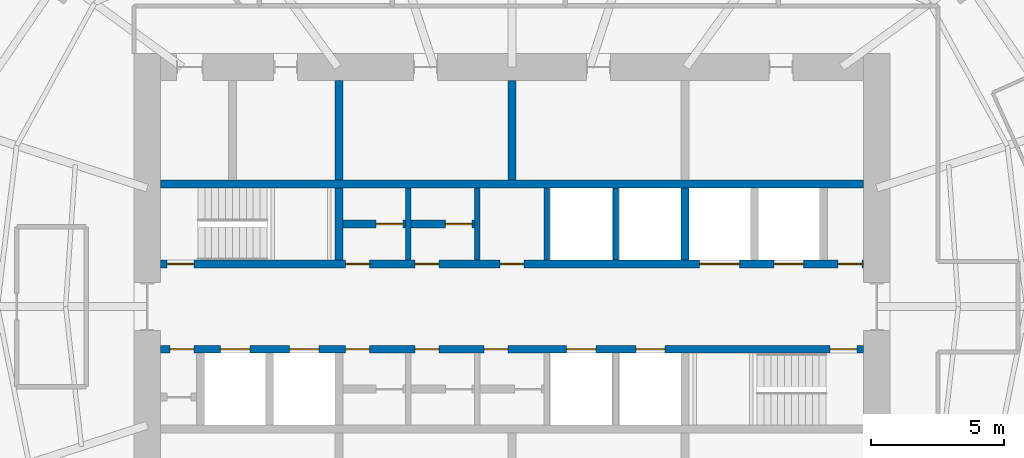
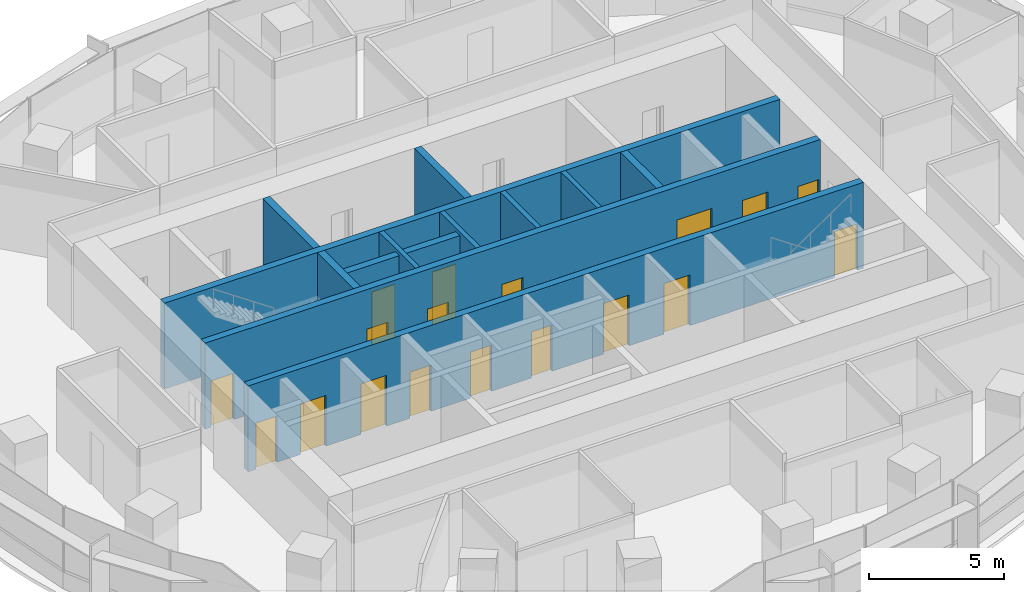
# One storey, part 11 of 15: 18 doors, 13 walls, 18 openings.
"""IFC4 building model written with IfcOpenShell, lengths in metres."""

from ifc_helpers import new_model, si_unit, direction, frame, frame_2d, origin, place, context, subcontext, project, spatial, rectangle, extrude, material, layer, layer_set, type_object, element, fill, save


model = new_model("IFC4")

# Units and contexts
model_context = context("Model", 3, precision=1e-05, world=origin(), true_north=direction((0.0, 1.0)))
body_context = subcontext(model_context, "Body", "Model", "MODEL_VIEW")
ifc_project = project(units=[si_unit("LENGTHUNIT", "METRE"), si_unit("AREAUNIT", "SQUARE_METRE"), si_unit("VOLUMEUNIT", "CUBIC_METRE"), si_unit("PLANEANGLEUNIT", "RADIAN"), si_unit("MASSUNIT", "GRAM", prefix="KILO")], contexts=[model_context])

# Site, building, storey
site_placement = place(None, origin())
site = spatial("IfcSite", under=ifc_project, at=site_placement, CompositionType="ELEMENT")
building_placement = place(site_placement, origin())
building = spatial("IfcBuilding", under=site, at=building_placement, Name="Marramba Exchange Tower", CompositionType="ELEMENT")
storey_placement = place(building_placement, frame((0.0, 0.0, 211.10009765625)))
storey = spatial("IfcBuildingStorey", under=building, at=storey_placement, Name="L51", CompositionType="ELEMENT", Elevation=211.10009765625)

# Walls
ifc_material_1 = material(Name="Concrete N50", Category="concrete")
ifc_layer_1 = layer(ifc_material_1, 0.199951171875)
ifc_layer_set_1 = layer_set([ifc_layer_1], Name="Core shaft wall 200")
wall_type_1 = type_object("IfcWallType", Name="Core shaft wall 200", PredefinedType="SHEAR", material=ifc_layer_set_1)
for number, where, z_axis, x_axis, name in (
    (1, (-3.89990234375, 1.75, 0.0), (0.0, 0.0, 1.0), (0.0, 1.0, 0.0), "Core wall SHN1 L51"),
    (2, (-1.300048828125, 1.75, 0.0), (0.0, 0.0, 1.0), (0.0, 1.0, 0.0), "Core wall SHN2 L51"),
    (3, (1.300048828125, 1.75, 0.0), (0.0, 0.0, 1.0), (0.0, 1.0, 0.0), "Core wall SHN3 L51"),
    (4, (3.89990234375, 1.75, 0.0), (0.0, 0.0, 1.0), (0.0, 1.0, 0.0), "Core wall SHN4 L51"),
):
    element("IfcWall", number, at=place(storey_placement, frame(where, z_axis=z_axis, x_axis=x_axis)), inside=storey, type_object=wall_type_1, Name=name, PredefinedType="SHEAR", context=body_context, shape_type="SweptSolid", body=[
        extrude(rectangle(XDim=2.699951171875, YDim=0.199951171875, at=frame_2d((1.35009765625, 0.0))), origin(), (0.0, 0.0, 1.0), 3.89990234375),
    ])

# Wall, openings, doors
ifc_layer_2 = layer(ifc_material_1, 0.300048828125)
ifc_layer_set_2 = layer_set([ifc_layer_2], Name="Core wall 300")
wall_type_2 = type_object("IfcWallType", Name="Core wall 300", PredefinedType="SHEAR", material=ifc_layer_set_2)
wall_1_placement = place(storey_placement, frame((-13.199951171875, 1.60009765625, 0.0), z_axis=(0.0, 0.0, 1.0), x_axis=(1.0, 0.0, 0.0)))
wall_1 = element("IfcWall", 5, at=wall_1_placement, inside=storey, type_object=wall_type_2, Name="Core wall LN L51", PredefinedType="SHEAR", context=body_context, shape_type="SweptSolid", body=[
    extrude(rectangle(XDim=26.39990234375, YDim=0.300048828125, at=frame_2d((13.199951171875, 0.0))), origin(), (0.0, 0.0, 1.0), 3.89990234375),
])
opening_1_placement = place(wall_1_placement, frame((0.25, 0.0, 0.0)))
opening_1 = element("IfcOpeningElement", 6, at=opening_1_placement, cuts=wall_1, Name="Opening D2", PredefinedType="OPENING", context=body_context, shape_type="SweptSolid", body=[
    extrude(rectangle(XDim=1.0, YDim=2.10009765625, at=frame_2d((0.5, 1.050048828125))), frame((0.0, 0.159912109375, 0.0), z_axis=(0.0, -1.0, 0.0), x_axis=(1.0, 0.0, 0.0)), (0.0, 0.0, 1.0), 0.320068359375),
])
opening_2_placement = place(wall_1_placement, frame((23.050048828125, 0.0, 0.0)))
opening_2 = element("IfcOpeningElement", 7, at=opening_2_placement, cuts=wall_1, Name="Opening LD1", PredefinedType="OPENING", context=body_context, shape_type="SweptSolid", body=[
    extrude(rectangle(XDim=1.10009765625, YDim=2.300048828125, at=frame_2d((0.550048828125, 1.14990234375))), frame((0.0, 0.159912109375, 0.0), z_axis=(0.0, -1.0, 0.0), x_axis=(1.0, 0.0, 0.0)), (0.0, 0.0, 1.0), 0.320068359375),
])
opening_3_placement = place(wall_1_placement, frame((20.25, 0.0, 0.0)))
opening_3 = element("IfcOpeningElement", 8, at=opening_3_placement, cuts=wall_1, Name="Opening LD3", PredefinedType="OPENING", context=body_context, shape_type="SweptSolid", body=[
    extrude(rectangle(XDim=1.5, YDim=2.39990234375, at=frame_2d((0.75, 1.199951171875))), frame((0.0, 0.159912109375, 0.0), z_axis=(0.0, -1.0, 0.0), x_axis=(1.0, 0.0, 0.0)), (0.0, 0.0, 1.0), 0.320068359375),
])
opening_4_placement = place(wall_1_placement, frame((6.949951171875, 0.0, 0.0)))
opening_4 = element("IfcOpeningElement", 9, at=opening_4_placement, cuts=wall_1, Name="Opening D5", PredefinedType="OPENING", context=body_context, shape_type="SweptSolid", body=[
    extrude(rectangle(XDim=0.89990234375, YDim=2.10009765625, at=frame_2d((0.449951171875, 1.050048828125))), frame((0.0, 0.159912109375, 0.0), z_axis=(0.0, -1.0, 0.0), x_axis=(1.0, 0.0, 0.0)), (0.0, 0.0, 1.0), 0.320068359375),
])
opening_5_placement = place(wall_1_placement, frame((9.550048828125, 0.0, 0.0)))
opening_5 = element("IfcOpeningElement", 10, at=opening_5_placement, cuts=wall_1, Name="Opening D5", PredefinedType="OPENING", context=body_context, shape_type="SweptSolid", body=[
    extrude(rectangle(XDim=0.89990234375, YDim=2.10009765625, at=frame_2d((0.449951171875, 1.050048828125))), frame((0.0, 0.159912109375, 0.0), z_axis=(0.0, -1.0, 0.0), x_axis=(1.0, 0.0, 0.0)), (0.0, 0.0, 1.0), 0.320068359375),
])
opening_6_placement = place(wall_1_placement, frame((12.75, 0.0, 0.0)))
opening_6 = element("IfcOpeningElement", 11, at=opening_6_placement, cuts=wall_1, Name="Opening D5", PredefinedType="OPENING", context=body_context, shape_type="SweptSolid", body=[
    extrude(rectangle(XDim=0.89990234375, YDim=2.10009765625, at=frame_2d((0.449951171875, 1.050048828125))), frame((0.0, 0.159912109375, 0.0), z_axis=(0.0, -1.0, 0.0), x_axis=(1.0, 0.0, 0.0)), (0.0, 0.0, 1.0), 0.320068359375),
])
opening_7_placement = place(wall_1_placement, frame((25.449951171875, 0.0, 0.0)))
opening_7 = element("IfcOpeningElement", 12, at=opening_7_placement, cuts=wall_1, Name="Opening D5", PredefinedType="OPENING", context=body_context, shape_type="SweptSolid", body=[
    extrude(rectangle(XDim=0.89990234375, YDim=2.10009765625, at=frame_2d((0.449951171875, 1.050048828125))), frame((0.0, 0.159912109375, 0.0), z_axis=(0.0, -1.0, 0.0), x_axis=(1.0, 0.0, 0.0)), (0.0, 0.0, 1.0), 0.320068359375),
])
ifc_material_2 = material(Name="Steel-framed door", Category="steel")
door_type_1 = type_object("IfcDoorType", Name="Goods lift landing door 1500x2400", OperationType="SLIDING_TO_LEFT", PredefinedType="DOOR", material=ifc_material_2)
door_1_placement = place(opening_3_placement, origin())
door_1 = element("IfcDoor", 13, at=door_1_placement, inside=storey, type_object=door_type_1, Name="GL1 landing door L51", OperationType="SLIDING_TO_LEFT", OverallHeight=2.39990234375, OverallWidth=1.5, PredefinedType="DOOR", context=body_context, shape_type="SweptSolid", body=[
    extrude(rectangle(XDim=1.5, YDim=2.39990234375, at=frame_2d((0.75, 1.199951171875))), frame((0.0, 0.02490234375, 0.0), z_axis=(0.0, -1.0, 0.0), x_axis=(1.0, 0.0, 0.0)), (0.0, 0.0, 1.0), 0.050048828125),
])
fill(opening_3, door_1)
door_type_2 = type_object("IfcDoorType", Name="Lift landing door 1100x2300", OperationType="SLIDING_TO_LEFT", PredefinedType="DOOR", material=ifc_material_2)
door_2_placement = place(opening_2_placement, origin())
door_2 = element("IfcDoor", 14, at=door_2_placement, inside=storey, type_object=door_type_2, Name="LC3 landing door L51", OperationType="SLIDING_TO_LEFT", OverallHeight=2.300048828125, OverallWidth=1.10009765625, PredefinedType="DOOR", context=body_context, shape_type="SweptSolid", body=[
    extrude(rectangle(XDim=1.10009765625, YDim=2.300048828125, at=frame_2d((0.550048828125, 1.14990234375))), frame((0.0, 0.02490234375, 0.0), z_axis=(0.0, -1.0, 0.0), x_axis=(1.0, 0.0, 0.0)), (0.0, 0.0, 1.0), 0.050048828125),
])
fill(opening_2, door_2)
door_type_3 = type_object("IfcDoorType", Name="Service door 900x2100", OperationType="SINGLE_SWING_LEFT", PredefinedType="DOOR", material=ifc_material_2)
door_3_placement = place(opening_4_placement, origin())
door_3 = element("IfcDoor", 15, at=door_3_placement, inside=storey, type_object=door_type_3, Name="D5 switch room L51", OperationType="SINGLE_SWING_LEFT", OverallHeight=2.10009765625, OverallWidth=0.89990234375, PredefinedType="DOOR", context=body_context, shape_type="SweptSolid", body=[
    extrude(rectangle(XDim=0.89990234375, YDim=2.10009765625, at=frame_2d((0.449951171875, 1.050048828125))), frame((0.0, 0.02490234375, 0.0), z_axis=(0.0, -1.0, 0.0), x_axis=(1.0, 0.0, 0.0)), (0.0, 0.0, 1.0), 0.050048828125),
])
fill(opening_4, door_3)
door_4_placement = place(opening_5_placement, origin())
door_4 = element("IfcDoor", 16, at=door_4_placement, inside=storey, type_object=door_type_3, Name="D5 cleaner store L51", OperationType="SINGLE_SWING_LEFT", OverallHeight=2.10009765625, OverallWidth=0.89990234375, PredefinedType="DOOR", context=body_context, shape_type="SweptSolid", body=[
    extrude(rectangle(XDim=0.89990234375, YDim=2.10009765625, at=frame_2d((0.449951171875, 1.050048828125))), frame((0.0, 0.02490234375, 0.0), z_axis=(0.0, -1.0, 0.0), x_axis=(1.0, 0.0, 0.0)), (0.0, 0.0, 1.0), 0.050048828125),
])
fill(opening_5, door_4)
door_5_placement = place(opening_6_placement, origin())
door_5 = element("IfcDoor", 17, at=door_5_placement, inside=storey, type_object=door_type_3, Name="D5 general store L51", OperationType="SINGLE_SWING_RIGHT", OverallHeight=2.10009765625, OverallWidth=0.89990234375, PredefinedType="DOOR", context=body_context, shape_type="SweptSolid", body=[
    extrude(rectangle(XDim=0.89990234375, YDim=2.10009765625, at=frame_2d((0.449951171875, 1.050048828125))), frame((0.0, 0.02490234375, 0.0), z_axis=(0.0, -1.0, 0.0), x_axis=(1.0, 0.0, 0.0)), (0.0, 0.0, 1.0), 0.050048828125),
])
fill(opening_6, door_5)
door_6_placement = place(opening_7_placement, origin())
door_6 = element("IfcDoor", 18, at=door_6_placement, inside=storey, type_object=door_type_3, Name="D5 riser L51", OperationType="SINGLE_SWING_RIGHT", OverallHeight=2.10009765625, OverallWidth=0.89990234375, PredefinedType="DOOR", context=body_context, shape_type="SweptSolid", body=[
    extrude(rectangle(XDim=0.89990234375, YDim=2.10009765625, at=frame_2d((0.449951171875, 1.050048828125))), frame((0.0, 0.02490234375, 0.0), z_axis=(0.0, -1.0, 0.0), x_axis=(1.0, 0.0, 0.0)), (0.0, 0.0, 1.0), 0.050048828125),
])
fill(opening_7, door_6)
door_type_4 = type_object("IfcDoorType", Name="Stair door 1000x2100", OperationType="SINGLE_SWING_LEFT", PredefinedType="DOOR", material=ifc_material_2)
door_7_placement = place(opening_1_placement, origin())
door_7 = element("IfcDoor", 19, at=door_7_placement, inside=storey, type_object=door_type_4, Name="D2 stair ST1 L51", OperationType="SINGLE_SWING_LEFT", OverallHeight=2.10009765625, OverallWidth=1.0, PredefinedType="DOOR", context=body_context, shape_type="SweptSolid", body=[
    extrude(rectangle(XDim=1.0, YDim=2.10009765625, at=frame_2d((0.5, 1.050048828125))), frame((0.0, 0.02490234375, 0.0), z_axis=(0.0, -1.0, 0.0), x_axis=(1.0, 0.0, 0.0)), (0.0, 0.0, 1.0), 0.050048828125),
])
fill(opening_1, door_7)

wall_2_placement = place(storey_placement, frame((-13.199951171875, -1.60009765625, 0.0), z_axis=(0.0, 0.0, 1.0), x_axis=(1.0, 0.0, 0.0)))
wall_2 = element("IfcWall", 20, at=wall_2_placement, inside=storey, type_object=wall_type_2, Name="Core wall LS L51", PredefinedType="SHEAR", context=body_context, shape_type="SweptSolid", body=[
    extrude(rectangle(XDim=26.39990234375, YDim=0.300048828125, at=frame_2d((13.199951171875, 0.0))), origin(), (0.0, 0.0, 1.0), 3.89990234375),
])
opening_8_placement = place(wall_2_placement, frame((25.14990234375, 0.0, 0.0)))
opening_8 = element("IfcOpeningElement", 21, at=opening_8_placement, cuts=wall_2, Name="Opening D2", PredefinedType="OPENING", context=body_context, shape_type="SweptSolid", body=[
    extrude(rectangle(XDim=1.0, YDim=2.10009765625, at=frame_2d((0.5, 1.050048828125))), frame((0.0, 0.159912109375, 0.0), z_axis=(0.0, -1.0, 0.0), x_axis=(1.0, 0.0, 0.0)), (0.0, 0.0, 1.0), 0.320068359375),
])
opening_9_placement = place(wall_2_placement, frame((6.949951171875, 0.0, 0.0)))
opening_9 = element("IfcOpeningElement", 22, at=opening_9_placement, cuts=wall_2, Name="Opening D5", PredefinedType="OPENING", context=body_context, shape_type="SweptSolid", body=[
    extrude(rectangle(XDim=0.89990234375, YDim=2.10009765625, at=frame_2d((0.449951171875, 1.050048828125))), frame((0.0, 0.159912109375, 0.0), z_axis=(0.0, -1.0, 0.0), x_axis=(1.0, 0.0, 0.0)), (0.0, 0.0, 1.0), 0.320068359375),
])
opening_10_placement = place(wall_2_placement, frame((9.550048828125, 0.0, 0.0)))
opening_10 = element("IfcOpeningElement", 23, at=opening_10_placement, cuts=wall_2, Name="Opening D5", PredefinedType="OPENING", context=body_context, shape_type="SweptSolid", body=[
    extrude(rectangle(XDim=0.89990234375, YDim=2.10009765625, at=frame_2d((0.449951171875, 1.050048828125))), frame((0.0, 0.159912109375, 0.0), z_axis=(0.0, -1.0, 0.0), x_axis=(1.0, 0.0, 0.0)), (0.0, 0.0, 1.0), 0.320068359375),
])
opening_11_placement = place(wall_2_placement, frame((12.14990234375, 0.0, 0.0)))
opening_11 = element("IfcOpeningElement", 24, at=opening_11_placement, cuts=wall_2, Name="Opening D5", PredefinedType="OPENING", context=body_context, shape_type="SweptSolid", body=[
    extrude(rectangle(XDim=0.89990234375, YDim=2.10009765625, at=frame_2d((0.449951171875, 1.050048828125))), frame((0.0, 0.159912109375, 0.0), z_axis=(0.0, -1.0, 0.0), x_axis=(1.0, 0.0, 0.0)), (0.0, 0.0, 1.0), 0.320068359375),
])
opening_12_placement = place(wall_2_placement, frame((15.25, 0.0, 0.0)))
opening_12 = element("IfcOpeningElement", 25, at=opening_12_placement, cuts=wall_2, Name="Opening LD2", PredefinedType="OPENING", context=body_context, shape_type="SweptSolid", body=[
    extrude(rectangle(XDim=1.10009765625, YDim=2.300048828125, at=frame_2d((0.550048828125, 1.14990234375))), frame((0.0, 0.159912109375, 0.0), z_axis=(0.0, -1.0, 0.0), x_axis=(1.0, 0.0, 0.0)), (0.0, 0.0, 1.0), 0.320068359375),
])
opening_13_placement = place(wall_2_placement, frame((17.85009765625, 0.0, 0.0)))
opening_13 = element("IfcOpeningElement", 26, at=opening_13_placement, cuts=wall_2, Name="Opening LD2", PredefinedType="OPENING", context=body_context, shape_type="SweptSolid", body=[
    extrude(rectangle(XDim=1.10009765625, YDim=2.300048828125, at=frame_2d((0.550048828125, 1.14990234375))), frame((0.0, 0.159912109375, 0.0), z_axis=(0.0, -1.0, 0.0), x_axis=(1.0, 0.0, 0.0)), (0.0, 0.0, 1.0), 0.320068359375),
])
opening_14_placement = place(wall_2_placement, frame((4.85009765625, 0.0, 0.0)))
opening_14 = element("IfcOpeningElement", 27, at=opening_14_placement, cuts=wall_2, Name="Opening LD1", PredefinedType="OPENING", context=body_context, shape_type="SweptSolid", body=[
    extrude(rectangle(XDim=1.10009765625, YDim=2.300048828125, at=frame_2d((0.550048828125, 1.14990234375))), frame((0.0, 0.159912109375, 0.0), z_axis=(0.0, -1.0, 0.0), x_axis=(1.0, 0.0, 0.0)), (0.0, 0.0, 1.0), 0.320068359375),
])
opening_15_placement = place(wall_2_placement, frame((2.25, 0.0, 0.0)))
opening_15 = element("IfcOpeningElement", 28, at=opening_15_placement, cuts=wall_2, Name="Opening LD1", PredefinedType="OPENING", context=body_context, shape_type="SweptSolid", body=[
    extrude(rectangle(XDim=1.10009765625, YDim=2.300048828125, at=frame_2d((0.550048828125, 1.14990234375))), frame((0.0, 0.159912109375, 0.0), z_axis=(0.0, -1.0, 0.0), x_axis=(1.0, 0.0, 0.0)), (0.0, 0.0, 1.0), 0.320068359375),
])
opening_16_placement = place(wall_2_placement, frame((0.35009765625, 0.0, 0.0)))
opening_16 = element("IfcOpeningElement", 29, at=opening_16_placement, cuts=wall_2, Name="Opening D5", PredefinedType="OPENING", context=body_context, shape_type="SweptSolid", body=[
    extrude(rectangle(XDim=0.89990234375, YDim=2.10009765625, at=frame_2d((0.449951171875, 1.050048828125))), frame((0.0, 0.159912109375, 0.0), z_axis=(0.0, -1.0, 0.0), x_axis=(1.0, 0.0, 0.0)), (0.0, 0.0, 1.0), 0.320068359375),
])
door_type_5 = type_object("IfcDoorType", Name="Emergency lift landing door 1100x2300", OperationType="SLIDING_TO_LEFT", PredefinedType="DOOR", material=ifc_material_2)
door_8_placement = place(opening_12_placement, frame((1.10009765625, 0.0, 0.0), z_axis=(0.0, 0.0, 1.0), x_axis=(-1.0, 0.0, 0.0)))
door_8 = element("IfcDoor", 30, at=door_8_placement, inside=storey, type_object=door_type_5, Name="FL1 landing door L51", OperationType="SLIDING_TO_RIGHT", OverallHeight=2.300048828125, OverallWidth=1.10009765625, PredefinedType="DOOR", context=body_context, shape_type="SweptSolid", body=[
    extrude(rectangle(XDim=1.10009765625, YDim=2.300048828125, at=frame_2d((0.550048828125, 1.14990234375))), frame((0.0, 0.025146484375, 0.0), z_axis=(0.0, -1.0, 0.0), x_axis=(1.0, 0.0, 0.0)), (0.0, 0.0, 1.0), 0.050048828125),
])
fill(opening_12, door_8)
door_9_placement = place(opening_13_placement, frame((1.10009765625, 0.0, 0.0), z_axis=(0.0, 0.0, 1.0), x_axis=(-1.0, 0.0, 0.0)))
door_9 = element("IfcDoor", 31, at=door_9_placement, inside=storey, type_object=door_type_5, Name="FL2 landing door L51", OperationType="SLIDING_TO_LEFT", OverallHeight=2.300048828125, OverallWidth=1.10009765625, PredefinedType="DOOR", context=body_context, shape_type="SweptSolid", body=[
    extrude(rectangle(XDim=1.10009765625, YDim=2.300048828125, at=frame_2d((0.550048828125, 1.14990234375))), frame((0.0, 0.025146484375, 0.0), z_axis=(0.0, -1.0, 0.0), x_axis=(1.0, 0.0, 0.0)), (0.0, 0.0, 1.0), 0.050048828125),
])
fill(opening_13, door_9)
door_10_placement = place(opening_14_placement, frame((1.10009765625, 0.0, 0.0), z_axis=(0.0, 0.0, 1.0), x_axis=(-1.0, 0.0, 0.0)))
door_10 = element("IfcDoor", 32, at=door_10_placement, inside=storey, type_object=door_type_2, Name="LC1 landing door L51", OperationType="SLIDING_TO_RIGHT", OverallHeight=2.300048828125, OverallWidth=1.10009765625, PredefinedType="DOOR", context=body_context, shape_type="SweptSolid", body=[
    extrude(rectangle(XDim=1.10009765625, YDim=2.300048828125, at=frame_2d((0.550048828125, 1.14990234375))), frame((0.0, 0.025146484375, 0.0), z_axis=(0.0, -1.0, 0.0), x_axis=(1.0, 0.0, 0.0)), (0.0, 0.0, 1.0), 0.050048828125),
])
fill(opening_14, door_10)
door_11_placement = place(opening_15_placement, frame((1.10009765625, 0.0, 0.0), z_axis=(0.0, 0.0, 1.0), x_axis=(-1.0, 0.0, 0.0)))
door_11 = element("IfcDoor", 33, at=door_11_placement, inside=storey, type_object=door_type_2, Name="LC2 landing door L51", OperationType="SLIDING_TO_LEFT", OverallHeight=2.300048828125, OverallWidth=1.10009765625, PredefinedType="DOOR", context=body_context, shape_type="SweptSolid", body=[
    extrude(rectangle(XDim=1.10009765625, YDim=2.300048828125, at=frame_2d((0.550048828125, 1.14990234375))), frame((0.0, 0.025146484375, 0.0), z_axis=(0.0, -1.0, 0.0), x_axis=(1.0, 0.0, 0.0)), (0.0, 0.0, 1.0), 0.050048828125),
])
fill(opening_15, door_11)
door_12_placement = place(opening_9_placement, frame((0.89990234375, 0.0, 0.0), z_axis=(0.0, 0.0, 1.0), x_axis=(-1.0, 0.0, 0.0)))
door_12 = element("IfcDoor", 34, at=door_12_placement, inside=storey, type_object=door_type_3, Name="D5 print room n1 L51", OperationType="SINGLE_SWING_RIGHT", OverallHeight=2.10009765625, OverallWidth=0.89990234375, PredefinedType="DOOR", context=body_context, shape_type="SweptSolid", body=[
    extrude(rectangle(XDim=0.89990234375, YDim=2.10009765625, at=frame_2d((0.449951171875, 1.050048828125))), frame((0.0, 0.025146484375, 0.0), z_axis=(0.0, -1.0, 0.0), x_axis=(1.0, 0.0, 0.0)), (0.0, 0.0, 1.0), 0.050048828125),
])
fill(opening_9, door_12)
door_13_placement = place(opening_10_placement, frame((0.89990234375, 0.0, 0.0), z_axis=(0.0, 0.0, 1.0), x_axis=(-1.0, 0.0, 0.0)))
door_13 = element("IfcDoor", 35, at=door_13_placement, inside=storey, type_object=door_type_3, Name="D5 store room n1 L51", OperationType="SINGLE_SWING_RIGHT", OverallHeight=2.10009765625, OverallWidth=0.89990234375, PredefinedType="DOOR", context=body_context, shape_type="SweptSolid", body=[
    extrude(rectangle(XDim=0.89990234375, YDim=2.10009765625, at=frame_2d((0.449951171875, 1.050048828125))), frame((0.0, 0.025146484375, 0.0), z_axis=(0.0, -1.0, 0.0), x_axis=(1.0, 0.0, 0.0)), (0.0, 0.0, 1.0), 0.050048828125),
])
fill(opening_10, door_13)
door_14_placement = place(opening_11_placement, frame((0.89990234375, 0.0, 0.0), z_axis=(0.0, 0.0, 1.0), x_axis=(-1.0, 0.0, 0.0)))
door_14 = element("IfcDoor", 36, at=door_14_placement, inside=storey, type_object=door_type_3, Name="D5 store n2 L51", OperationType="SINGLE_SWING_RIGHT", OverallHeight=2.10009765625, OverallWidth=0.89990234375, PredefinedType="DOOR", context=body_context, shape_type="SweptSolid", body=[
    extrude(rectangle(XDim=0.89990234375, YDim=2.10009765625, at=frame_2d((0.449951171875, 1.050048828125))), frame((0.0, 0.025146484375, 0.0), z_axis=(0.0, -1.0, 0.0), x_axis=(1.0, 0.0, 0.0)), (0.0, 0.0, 1.0), 0.050048828125),
])
fill(opening_11, door_14)
door_15_placement = place(opening_16_placement, frame((0.89990234375, 0.0, 0.0), z_axis=(0.0, 0.0, 1.0), x_axis=(-1.0, 0.0, 0.0)))
door_15 = element("IfcDoor", 37, at=door_15_placement, inside=storey, type_object=door_type_3, Name="D5 electrical riser L51", OperationType="SINGLE_SWING_LEFT", OverallHeight=2.10009765625, OverallWidth=0.89990234375, PredefinedType="DOOR", context=body_context, shape_type="SweptSolid", body=[
    extrude(rectangle(XDim=0.89990234375, YDim=2.10009765625, at=frame_2d((0.449951171875, 1.050048828125))), frame((0.0, 0.025146484375, 0.0), z_axis=(0.0, -1.0, 0.0), x_axis=(1.0, 0.0, 0.0)), (0.0, 0.0, 1.0), 0.050048828125),
])
fill(opening_16, door_15)
door_16_placement = place(opening_8_placement, frame((1.0, 0.0, 0.0), z_axis=(0.0, 0.0, 1.0), x_axis=(-1.0, 0.0, 0.0)))
door_16 = element("IfcDoor", 38, at=door_16_placement, inside=storey, type_object=door_type_4, Name="D2 stair ST2 L51", OperationType="SINGLE_SWING_LEFT", OverallHeight=2.10009765625, OverallWidth=1.0, PredefinedType="DOOR", context=body_context, shape_type="SweptSolid", body=[
    extrude(rectangle(XDim=1.0, YDim=2.10009765625, at=frame_2d((0.5, 1.050048828125))), frame((0.0, 0.025146484375, 0.0), z_axis=(0.0, -1.0, 0.0), x_axis=(1.0, 0.0, 0.0)), (0.0, 0.0, 1.0), 0.050048828125),
])
fill(opening_8, door_16)

# Walls
wall_3_placement = place(storey_placement, frame((-13.199951171875, 4.60009765625, 0.0), z_axis=(0.0, 0.0, 1.0), x_axis=(1.0, 0.0, 0.0)))
element("IfcWall", 39, at=wall_3_placement, inside=storey, type_object=wall_type_2, Name="Core wall BN L51", PredefinedType="SHEAR", context=body_context, shape_type="SweptSolid", body=[
    extrude(rectangle(XDim=26.39990234375, YDim=0.300048828125, at=frame_2d((13.199951171875, 0.0))), origin(), (0.0, 0.0, 1.0), 3.89990234375),
])
wall_4_placement = place(storey_placement, frame((-6.5, 1.75, 0.0), z_axis=(0.0, 0.0, 1.0), x_axis=(0.0, 1.0, 0.0)))
element("IfcWall", 40, at=wall_4_placement, inside=storey, type_object=wall_type_2, Name="Core wall X0Na L51", PredefinedType="SHEAR", context=body_context, shape_type="SweptSolid", body=[
    extrude(rectangle(XDim=2.699951171875, YDim=0.300048828125, at=frame_2d((1.35009765625, 0.0))), origin(), (0.0, 0.0, 1.0), 3.89990234375),
])
wall_5_placement = place(storey_placement, frame((-6.5, 4.75, 0.0), z_axis=(0.0, 0.0, 1.0), x_axis=(0.0, 1.0, 0.0)))
element("IfcWall", 41, at=wall_5_placement, inside=storey, type_object=wall_type_2, Name="Core wall X0Nb L51", PredefinedType="SHEAR", context=body_context, shape_type="SweptSolid", body=[
    extrude(rectangle(XDim=3.75, YDim=0.300048828125, at=frame_2d((1.875, 0.0))), origin(), (0.0, 0.0, 1.0), 3.89990234375),
])
wall_6_placement = place(storey_placement, frame((6.5, 1.75, 0.0), z_axis=(0.0, 0.0, 1.0), x_axis=(0.0, 1.0, 0.0)))
element("IfcWall", 42, at=wall_6_placement, inside=storey, type_object=wall_type_2, Name="Core wall X1Na L51", PredefinedType="SHEAR", context=body_context, shape_type="SweptSolid", body=[
    extrude(rectangle(XDim=2.699951171875, YDim=0.300048828125, at=frame_2d((1.35009765625, 0.0))), origin(), (0.0, 0.0, 1.0), 3.89990234375),
])
wall_7_placement = place(storey_placement, frame((0.0, 4.75, 0.0), z_axis=(0.0, 0.0, 1.0), x_axis=(0.0, 1.0, 0.0)))
element("IfcWall", 43, at=wall_7_placement, inside=storey, type_object=wall_type_2, Name="Core wall MN L51", PredefinedType="SHEAR", context=body_context, shape_type="SweptSolid", body=[
    extrude(rectangle(XDim=3.75, YDim=0.300048828125, at=frame_2d((1.875, 0.0))), origin(), (0.0, 0.0, 1.0), 3.89990234375),
])

# Wall, opening, door
ifc_material_3 = material(Name="Plasterboard on steel studs, insulated, unrated", Category="steel")
ifc_layer_3 = layer(ifc_material_3, 0.300048828125)
ifc_layer_set_3 = layer_set([ifc_layer_3], Name="Store partition 300")
wall_type_3 = type_object("IfcWallType", Name="Store partition 300", PredefinedType="PARTITIONING", material=ifc_layer_set_3)
wall_8_placement = place(storey_placement, frame((-6.35009765625, 3.10009765625, 0.0), z_axis=(0.0, 0.0, 1.0), x_axis=(1.0, 0.0, 0.0)))
wall_8 = element("IfcWall", 44, at=wall_8_placement, inside=storey, type_object=wall_type_3, Name="Store partition L51 N1", PredefinedType="PARTITIONING", context=body_context, shape_type="SweptSolid", body=[
    extrude(rectangle(XDim=2.35009765625, YDim=0.300048828125, at=frame_2d((1.175048828125, 0.0))), origin(), (0.0, 0.0, 1.0), 3.739990234375),
])
opening_17_placement = place(wall_8_placement, frame((1.25, 0.0, 0.0)))
opening_17 = element("IfcOpeningElement", 45, at=opening_17_placement, cuts=wall_8, Name="Opening D9", PredefinedType="OPENING", context=body_context, shape_type="SweptSolid", body=[
    extrude(rectangle(XDim=1.0, YDim=2.39990234375, at=frame_2d((0.5, 1.199951171875))), frame((0.0, 0.159912109375, 0.0), z_axis=(0.0, -1.0, 0.0), x_axis=(1.0, 0.0, 0.0)), (0.0, 0.0, 1.0), 0.320068359375),
])
ifc_material_4 = material(Name="Timber door", Category="wood")
door_type_6 = type_object("IfcDoorType", Name="Room door 1000x2400", OperationType="SINGLE_SWING_LEFT", PredefinedType="DOOR", material=ifc_material_4)
door_17_placement = place(opening_17_placement, origin())
door_17 = element("IfcDoor", 46, at=door_17_placement, inside=storey, type_object=door_type_6, Name="D9 store room N1 L51", OperationType="SINGLE_SWING_RIGHT", OverallHeight=2.39990234375, OverallWidth=1.0, PredefinedType="DOOR", context=body_context, shape_type="SweptSolid", body=[
    extrude(rectangle(XDim=1.0, YDim=2.39990234375, at=frame_2d((0.5, 1.199951171875))), frame((0.0, 0.02490234375, 0.0), z_axis=(0.0, -1.0, 0.0), x_axis=(1.0, 0.0, 0.0)), (0.0, 0.0, 1.0), 0.050048828125),
])
fill(opening_17, door_17)

wall_9_placement = place(storey_placement, frame((-3.800048828125, 3.10009765625, 0.0), z_axis=(0.0, 0.0, 1.0), x_axis=(1.0, 0.0, 0.0)))
wall_9 = element("IfcWall", 47, at=wall_9_placement, inside=storey, type_object=wall_type_3, Name="Store partition L51 N2", PredefinedType="PARTITIONING", context=body_context, shape_type="SweptSolid", body=[
    extrude(rectangle(XDim=2.400146484375, YDim=0.300048828125, at=frame_2d((1.2001953125, 0.0))), origin(), (0.0, 0.0, 1.0), 3.739990234375),
])
opening_18_placement = place(wall_9_placement, frame((1.300048828125, 0.0, 0.0)))
opening_18 = element("IfcOpeningElement", 48, at=opening_18_placement, cuts=wall_9, Name="Opening D9", PredefinedType="OPENING", context=body_context, shape_type="SweptSolid", body=[
    extrude(rectangle(XDim=1.0, YDim=2.39990234375, at=frame_2d((0.5, 1.199951171875))), frame((0.0, 0.159912109375, 0.0), z_axis=(0.0, -1.0, 0.0), x_axis=(1.0, 0.0, 0.0)), (0.0, 0.0, 1.0), 0.320068359375),
])
door_18_placement = place(opening_18_placement, origin())
door_18 = element("IfcDoor", 49, at=door_18_placement, inside=storey, type_object=door_type_6, Name="D9 store room N2 L51", OperationType="SINGLE_SWING_RIGHT", OverallHeight=2.39990234375, OverallWidth=1.0, PredefinedType="DOOR", context=body_context, shape_type="SweptSolid", body=[
    extrude(rectangle(XDim=1.0, YDim=2.39990234375, at=frame_2d((0.5, 1.199951171875))), frame((0.0, 0.02490234375, 0.0), z_axis=(0.0, -1.0, 0.0), x_axis=(1.0, 0.0, 0.0)), (0.0, 0.0, 1.0), 0.050048828125),
])
fill(opening_18, door_18)

save(model, "model.ifc")
